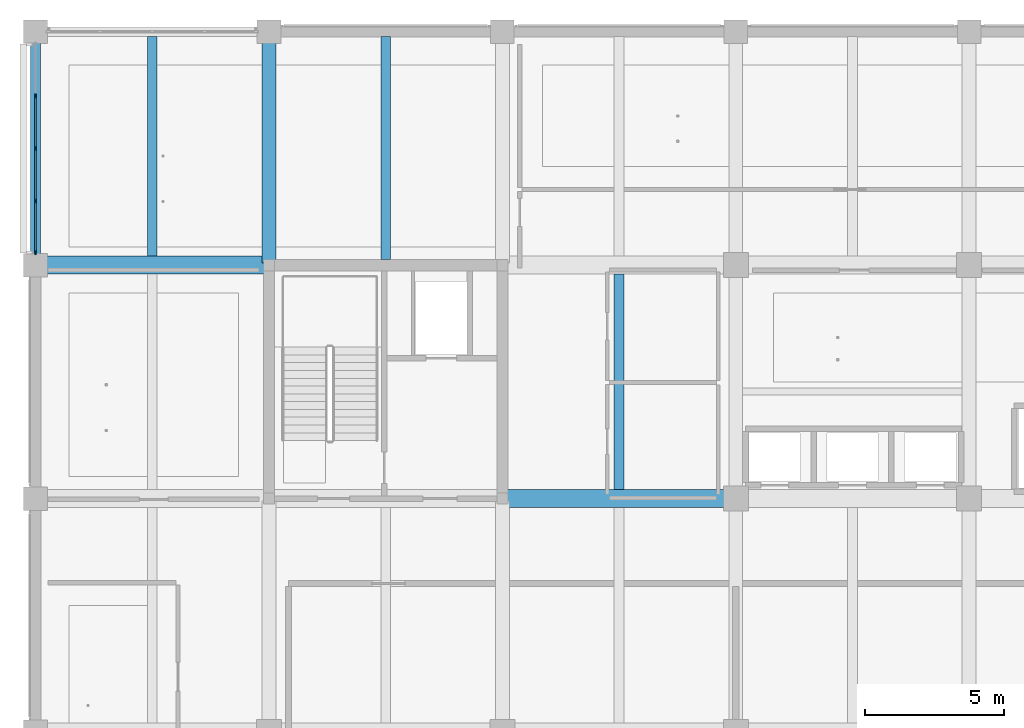
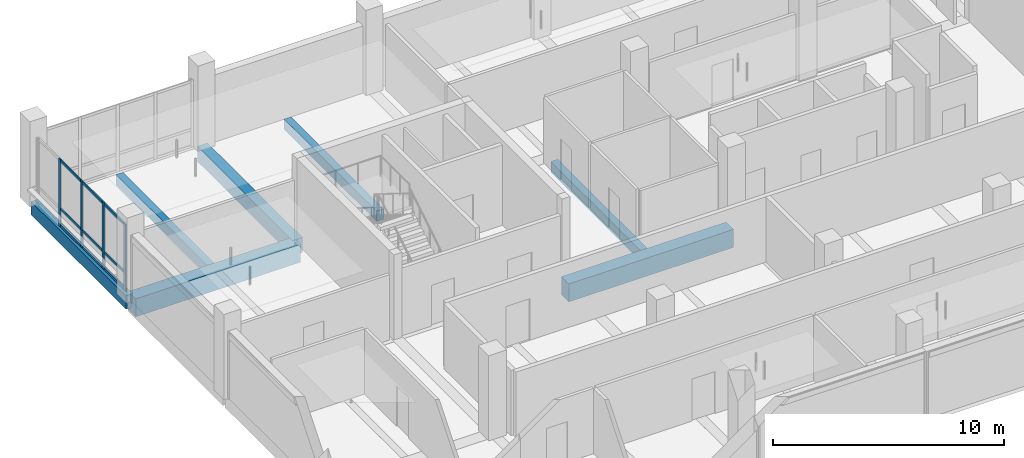
# One storey, part 4 of 36: 13 members, 7 beams, 1 element without a shape of its own.
"""IFC4 building model written with IfcOpenShell, lengths in metres."""

from ifc_helpers import new_model, si_unit, direction, frame, origin, origin_2d, place, context, subcontext, project, spatial, rectangle, extrude, material, layer, layer_set, material_profile, profile_set, type_object, element, aggregate, save


model = new_model("IFC4")

# Units and contexts
model_context = context("Model", 3, precision=1e-05, world=origin(), true_north=direction((0.0, 1.0)))
body_context = subcontext(model_context, "Body", "Model", "MODEL_VIEW")
ifc_project = project(units=[si_unit("LENGTHUNIT", "METRE"), si_unit("AREAUNIT", "SQUARE_METRE"), si_unit("VOLUMEUNIT", "CUBIC_METRE"), si_unit("PLANEANGLEUNIT", "RADIAN"), si_unit("MASSUNIT", "GRAM", prefix="KILO")], contexts=[model_context])

# Site, building, storey
site_placement = place(None, origin())
site = spatial("IfcSite", under=ifc_project, at=site_placement, CompositionType="ELEMENT")
building_placement = place(site_placement, origin())
building = spatial("IfcBuilding", under=site, at=building_placement, Name="Telukmera Botanical Conservatory", CompositionType="ELEMENT")
storey_placement = place(building_placement, frame((0.0, 0.0, 24.0)))
storey = spatial("IfcBuildingStorey", under=building, at=storey_placement, Name="L05", CompositionType="ELEMENT", Elevation=24.0)

# Beams
ifc_material_1 = material(Name="Concrete C40/50", Category="concrete")
ifc_material_profile_1 = material_profile(ifc_material_1, rectangle(XDim=0.64990234375, YDim=0.949951171875, at=origin_2d()), Name="RC 650x950")
ifc_profile_set_1 = profile_set([ifc_material_profile_1], Name="Concrete C40/50")
beam_type_1 = type_object("IfcBeamType", Name="Beam_B2", PredefinedType="BEAM", material=ifc_profile_set_1)
for number, where, z_axis, x_axis, name in (
    (1, (67.280029296875, 26.0, -0.47509765625), (1.0, 0.0, 0.0), (0.0, 1.0, 0.0), "Tower Grid Beam L05"),
    (2, (50.47998046875, 34.39990234375, -0.47509765625), (1.0, 0.0, 0.0), (0.0, 1.0, 0.0), "Tower Grid Beam L05"),
):
    element("IfcBeam", number, at=place(storey_placement, frame(where, z_axis=z_axis, x_axis=x_axis)), inside=storey, type_object=beam_type_1, Name=name, PredefinedType="BEAM", context=body_context, shape_type="SweptSolid", body=[
        extrude(rectangle(XDim=0.64990234375, YDim=0.949951171875, at=origin_2d()), origin(), (0.0, 0.0, 1.0), 8.239990234375),
    ])
ifc_material_profile_2 = material_profile(ifc_material_1, rectangle(XDim=0.35009765625, YDim=0.550048828125, at=origin_2d()), Name="RC 350x550")
ifc_profile_set_2 = profile_set([ifc_material_profile_2], Name="Concrete C40/50")
beam_type_2 = type_object("IfcBeamType", Name="Beam_B21", PredefinedType="JOIST", material=ifc_profile_set_2)
beam_1_placement = place(storey_placement, frame((54.60009765625, 34.72509765625, -0.27490234375), z_axis=(0.0, 1.0, 0.0), x_axis=(-1.0, 0.0, 0.0)))
element("IfcBeam", 3, at=beam_1_placement, inside=storey, type_object=beam_type_2, Name="Tower Secondary Floor Joist L05", PredefinedType="JOIST", context=body_context, shape_type="SweptSolid", body=[
    extrude(rectangle(XDim=0.35009765625, YDim=0.550048828125, at=origin_2d()), origin(), (0.0, 0.0, 1.0), 7.89990234375),
])
beam_2_placement = place(storey_placement, frame((63.0, 34.60009765625, -0.27490234375), z_axis=(0.0, 1.0, 0.0), x_axis=(-1.0, 0.0, 0.0)))
element("IfcBeam", 4, at=beam_2_placement, inside=storey, type_object=beam_type_2, Name="Tower Secondary Floor Joist L05", PredefinedType="JOIST", context=body_context, shape_type="SweptSolid", body=[
    extrude(rectangle(XDim=0.35009765625, YDim=0.550048828125, at=origin_2d()), origin(), (0.0, 0.0, 1.0), 8.02490234375),
])
beam_3_placement = place(storey_placement, frame((71.39990234375, 26.324951171875, -0.27490234375), z_axis=(0.0, 1.0, 0.0), x_axis=(-1.0, 0.0, 0.0)))
element("IfcBeam", 5, at=beam_3_placement, inside=storey, type_object=beam_type_2, Name="Tower Secondary Floor Joist L05", PredefinedType="JOIST", context=body_context, shape_type="SweptSolid", body=[
    extrude(rectangle(XDim=0.35009765625, YDim=0.550048828125, at=origin_2d()), origin(), (0.0, 0.0, 1.0), 7.75),
])
ifc_material_profile_3 = material_profile(ifc_material_1, rectangle(XDim=0.5, YDim=0.800048828125, at=origin_2d()), Name="RC 500x800")
ifc_profile_set_3 = profile_set([ifc_material_profile_3], Name="Concrete C40/50")
beam_type_3 = type_object("IfcBeamType", Name="Beam_B5", PredefinedType="BEAM", material=ifc_profile_set_3)
beam_4_placement = place(storey_placement, frame((58.800048828125, 34.47998046875, -0.39990234375), z_axis=(0.0, 1.0, 0.0), x_axis=(-1.0, 0.0, 0.0)))
element("IfcBeam", 6, at=beam_4_placement, inside=storey, type_object=beam_type_3, Name="Tower Transverse Beam L05", PredefinedType="BEAM", context=body_context, shape_type="SweptSolid", body=[
    extrude(rectangle(XDim=0.5, YDim=0.800048828125, at=origin_2d()), origin(), (0.0, 0.0, 1.0), 8.239990234375),
])
ifc_material_2 = material(Name="Precast concrete C40/50", Category="concrete")
ifc_material_profile_4 = material_profile(ifc_material_2, rectangle(XDim=0.35009765625, YDim=0.699951171875, at=origin_2d()), Name="PC 350x700")
ifc_profile_set_4 = profile_set([ifc_material_profile_4], Name="Precast concrete C40/50")
beam_type_4 = type_object("IfcBeamType", Name="Beam_SP2", PredefinedType="SPANDREL", material=ifc_profile_set_4)
beam_5_placement = place(storey_placement, frame((50.39990234375, 34.47998046875, -0.35009765625), z_axis=(0.0, 1.0, 0.0), x_axis=(-1.0, 0.0, 0.0)))
element("IfcBeam", 7, at=beam_5_placement, inside=storey, type_object=beam_type_4, Name="Tower Transverse Beam L05", PredefinedType="SPANDREL", context=body_context, shape_type="SweptSolid", body=[
    extrude(rectangle(XDim=0.35009765625, YDim=0.699951171875, at=origin_2d()), origin(), (0.0, 0.0, 1.0), 8.239990234375),
])

# Curtain wall, members
ifc_material_3 = material(Name="Anodised aluminium 6063-T6", Category="aluminium")
ifc_layer = layer(ifc_material_3, 0.179931640625)
ifc_layer_set = layer_set([ifc_layer], Name="Anodised aluminium 6063-T6")
curtain_wall_type = type_object("IfcCurtainWallType", Name="Tower Herbarium Curation Corner Curtain Wall", PredefinedType="USERDEFINED", material=ifc_layer_set)
curtain_wall_placement = place(storey_placement, origin())
curtain_wall = element("IfcCurtainWall", 8, at=curtain_wall_placement, inside=storey, type_object=curtain_wall_type, Name="Unitised Curtain Wall CW14 V4:L05:W4", ObjectType="UNITISED CURTAIN WALL", PredefinedType="USERDEFINED")
ifc_material_profile_5 = material_profile(ifc_material_3, rectangle(XDim=0.06494140625, YDim=0.159912109375, at=origin_2d()), Name="ALU MULL 65x160")
ifc_profile_set_5 = profile_set([ifc_material_profile_5], Name="Anodised aluminium 6063-T6")
member_type_1 = type_object("IfcMemberType", Name="Curtain Wall Extruded Mullion 65x160", PredefinedType="MULLION", material=ifc_profile_set_5)
member_1_placement = place(storey_placement, frame((50.39990234375, 34.859619140625, 0.0), z_axis=(0.0, 0.0, 1.0), x_axis=(-1.0, 0.0, 0.0)))
member_1 = element("IfcMember", 9, at=member_1_placement, type_object=member_type_1, Name="CW14 mullion 1", PredefinedType="MULLION", context=body_context, shape_type="SweptSolid", body=[
    extrude(rectangle(XDim=0.06494140625, YDim=0.159912109375, at=origin_2d()), origin(), (0.0, 0.0, 1.0), 3.550048828125),
])
member_2_placement = place(storey_placement, frame((50.39990234375, 36.71337890625, 0.0), z_axis=(0.0, 0.0, 1.0), x_axis=(-1.0, 0.0, 0.0)))
member_2 = element("IfcMember", 10, at=member_2_placement, type_object=member_type_1, Name="CW14 mullion 2", PredefinedType="MULLION", context=body_context, shape_type="SweptSolid", body=[
    extrude(rectangle(XDim=0.06494140625, YDim=0.159912109375, at=origin_2d()), origin(), (0.0, 0.0, 1.0), 3.550048828125),
])
member_3_placement = place(storey_placement, frame((50.39990234375, 38.60009765625, 0.0), z_axis=(0.0, 0.0, 1.0), x_axis=(-1.0, 0.0, 0.0)))
member_3 = element("IfcMember", 11, at=member_3_placement, type_object=member_type_1, Name="CW14 mullion 3", PredefinedType="MULLION", context=body_context, shape_type="SweptSolid", body=[
    extrude(rectangle(XDim=0.06494140625, YDim=0.159912109375, at=origin_2d()), origin(), (0.0, 0.0, 1.0), 3.550048828125),
])
member_4_placement = place(storey_placement, frame((50.39990234375, 40.486572265625, 0.0), z_axis=(0.0, 0.0, 1.0), x_axis=(-1.0, 0.0, 0.0)))
member_4 = element("IfcMember", 12, at=member_4_placement, type_object=member_type_1, Name="CW14 mullion 4", PredefinedType="MULLION", context=body_context, shape_type="SweptSolid", body=[
    extrude(rectangle(XDim=0.06494140625, YDim=0.159912109375, at=origin_2d()), origin(), (0.0, 0.0, 1.0), 3.550048828125),
])
ifc_material_profile_6 = material_profile(ifc_material_3, rectangle(XDim=0.06494140625, YDim=0.1298828125, at=origin_2d()), Name="ALU TRAN 65x130")
ifc_profile_set_6 = profile_set([ifc_material_profile_6], Name="Anodised aluminium 6063-T6")
member_type_2 = type_object("IfcMemberType", Name="Curtain Wall Extruded Transom 65x130", PredefinedType="USERDEFINED", material=ifc_profile_set_6)
member_5_placement = place(storey_placement, frame((50.39990234375, 34.89208984375, 0.06494140625), z_axis=(0.0, 1.0, 0.0), x_axis=(-1.0, 0.0, 0.0)))
member_5 = element("IfcMember", 13, at=member_5_placement, type_object=member_type_2, Name="CW14 transom 1.1", ObjectType="TRANSOM", PredefinedType="USERDEFINED", context=body_context, shape_type="SweptSolid", body=[
    extrude(rectangle(XDim=0.06494140625, YDim=0.1298828125, at=origin_2d()), origin(), (0.0, 0.0, 1.0), 1.788818359375),
])
member_6_placement = place(storey_placement, frame((50.39990234375, 34.89208984375, 0.949951171875), z_axis=(0.0, 1.0, 0.0), x_axis=(-1.0, 0.0, 0.0)))
member_6 = element("IfcMember", 14, at=member_6_placement, type_object=member_type_2, Name="CW14 transom 1.2", ObjectType="TRANSOM", PredefinedType="USERDEFINED", context=body_context, shape_type="SweptSolid", body=[
    extrude(rectangle(XDim=0.06494140625, YDim=0.1298828125, at=origin_2d()), origin(), (0.0, 0.0, 1.0), 1.788818359375),
])
member_7_placement = place(storey_placement, frame((50.39990234375, 34.89208984375, 3.485107421875), z_axis=(0.0, 1.0, 0.0), x_axis=(-1.0, 0.0, 0.0)))
member_7 = element("IfcMember", 15, at=member_7_placement, type_object=member_type_2, Name="CW14 transom 1.3", ObjectType="TRANSOM", PredefinedType="USERDEFINED", context=body_context, shape_type="SweptSolid", body=[
    extrude(rectangle(XDim=0.06494140625, YDim=0.1298828125, at=origin_2d()), origin(), (0.0, 0.0, 1.0), 1.788818359375),
])
member_8_placement = place(storey_placement, frame((50.39990234375, 36.74609375, 0.06494140625), z_axis=(0.0, 1.0, 0.0), x_axis=(-1.0, 0.0, 0.0)))
member_8 = element("IfcMember", 16, at=member_8_placement, type_object=member_type_2, Name="CW14 transom 2.1", ObjectType="TRANSOM", PredefinedType="USERDEFINED", context=body_context, shape_type="SweptSolid", body=[
    extrude(rectangle(XDim=0.06494140625, YDim=0.1298828125, at=origin_2d()), origin(), (0.0, 0.0, 1.0), 1.8212890625),
])
member_9_placement = place(storey_placement, frame((50.39990234375, 36.74609375, 0.949951171875), z_axis=(0.0, 1.0, 0.0), x_axis=(-1.0, 0.0, 0.0)))
member_9 = element("IfcMember", 17, at=member_9_placement, type_object=member_type_2, Name="CW14 transom 2.2", ObjectType="TRANSOM", PredefinedType="USERDEFINED", context=body_context, shape_type="SweptSolid", body=[
    extrude(rectangle(XDim=0.06494140625, YDim=0.1298828125, at=origin_2d()), origin(), (0.0, 0.0, 1.0), 1.8212890625),
])
member_10_placement = place(storey_placement, frame((50.39990234375, 36.74609375, 3.485107421875), z_axis=(0.0, 1.0, 0.0), x_axis=(-1.0, 0.0, 0.0)))
member_10 = element("IfcMember", 18, at=member_10_placement, type_object=member_type_2, Name="CW14 transom 2.3", ObjectType="TRANSOM", PredefinedType="USERDEFINED", context=body_context, shape_type="SweptSolid", body=[
    extrude(rectangle(XDim=0.06494140625, YDim=0.1298828125, at=origin_2d()), origin(), (0.0, 0.0, 1.0), 1.8212890625),
])
member_11_placement = place(storey_placement, frame((50.39990234375, 38.632568359375, 0.06494140625), z_axis=(0.0, 1.0, 0.0), x_axis=(-1.0, 0.0, 0.0)))
member_11 = element("IfcMember", 19, at=member_11_placement, type_object=member_type_2, Name="CW14 transom 3.1", ObjectType="TRANSOM", PredefinedType="USERDEFINED", context=body_context, shape_type="SweptSolid", body=[
    extrude(rectangle(XDim=0.06494140625, YDim=0.1298828125, at=origin_2d()), origin(), (0.0, 0.0, 1.0), 1.821533203125),
])
member_12_placement = place(storey_placement, frame((50.39990234375, 38.632568359375, 0.949951171875), z_axis=(0.0, 1.0, 0.0), x_axis=(-1.0, 0.0, 0.0)))
member_12 = element("IfcMember", 20, at=member_12_placement, type_object=member_type_2, Name="CW14 transom 3.2", ObjectType="TRANSOM", PredefinedType="USERDEFINED", context=body_context, shape_type="SweptSolid", body=[
    extrude(rectangle(XDim=0.06494140625, YDim=0.1298828125, at=origin_2d()), origin(), (0.0, 0.0, 1.0), 1.821533203125),
])
member_13_placement = place(storey_placement, frame((50.39990234375, 38.632568359375, 3.485107421875), z_axis=(0.0, 1.0, 0.0), x_axis=(-1.0, 0.0, 0.0)))
member_13 = element("IfcMember", 21, at=member_13_placement, type_object=member_type_2, Name="CW14 transom 3.3", ObjectType="TRANSOM", PredefinedType="USERDEFINED", context=body_context, shape_type="SweptSolid", body=[
    extrude(rectangle(XDim=0.06494140625, YDim=0.1298828125, at=origin_2d()), origin(), (0.0, 0.0, 1.0), 1.821533203125),
])
aggregate(curtain_wall, [member_1, member_2, member_3, member_4, member_5, member_6, member_7, member_8, member_9, member_10, member_11, member_12, member_13])

save(model, "model.ifc")
